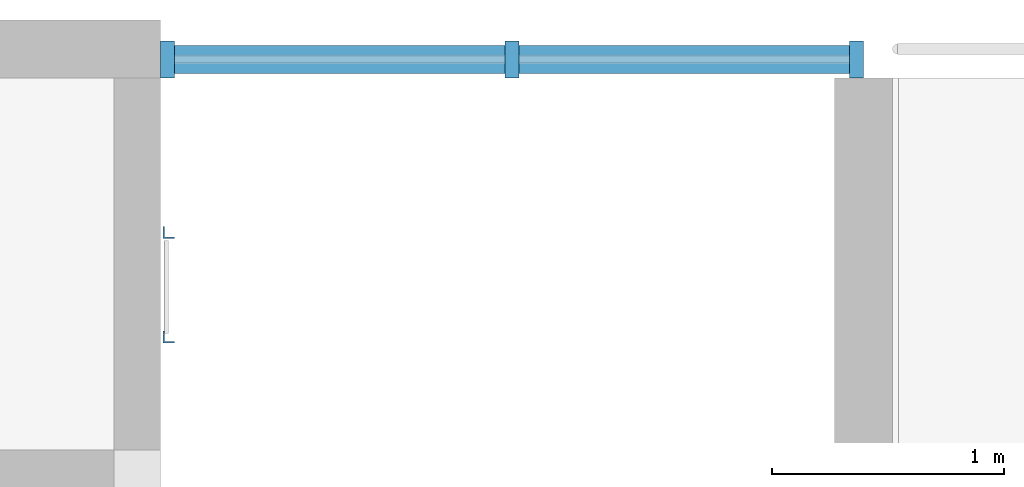
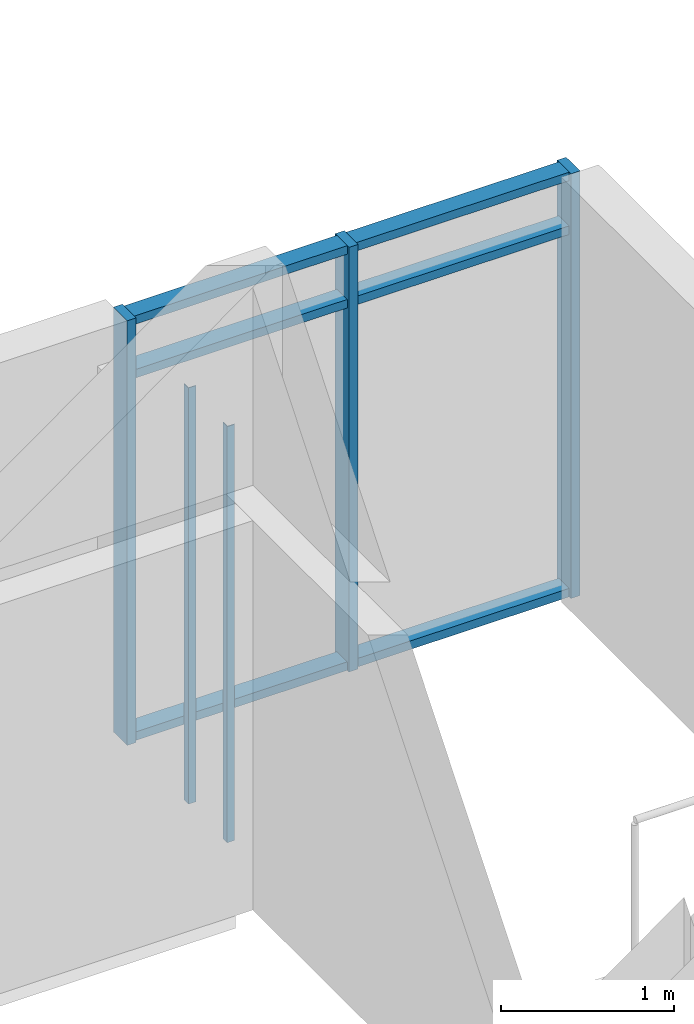
# One storey, part 2 of 15: 11 members, 1 element without a shape of its own.
"""IFC4 building model written with IfcOpenShell, lengths in metres."""

from ifc_helpers import new_model, si_unit, direction, frame, origin, origin_2d, place, context, subcontext, project, spatial, polyline, rectangle, outline, extrude, material, material_profile, profile_set, type_object, element, aggregate, save


model = new_model("IFC4")

# Units and contexts
model_context = context("Model", 3, precision=1e-05, world=origin(), true_north=direction((0.0, 1.0)))
body_context = subcontext(model_context, "Body", "Model", "MODEL_VIEW")
ifc_project = project(units=[si_unit("LENGTHUNIT", "METRE"), si_unit("AREAUNIT", "SQUARE_METRE"), si_unit("VOLUMEUNIT", "CUBIC_METRE"), si_unit("PLANEANGLEUNIT", "RADIAN"), si_unit("MASSUNIT", "GRAM", prefix="KILO")], contexts=[model_context])

# Site, building, storey
site_placement = place(None, origin())
site = spatial("IfcSite", under=ifc_project, at=site_placement, CompositionType="ELEMENT")
building_placement = place(site_placement, origin())
building = spatial("IfcBuilding", under=site, at=building_placement, Name="Ridgestep Commons", CompositionType="ELEMENT")
storey_placement = place(building_placement, frame((0.0, 0.0, 45.0)))
storey = spatial("IfcBuildingStorey", under=building, at=storey_placement, Name="L15", CompositionType="ELEMENT", Elevation=45.0)

# Members
ifc_material_1 = material(Name="Structural steel S355JR", Category="steel")
ifc_material_profile_1 = material_profile(ifc_material_1, outline(polyline([(-0.014404296875, -0.014404296875), (0.03564453125, -0.014404296875), (0.03564453125, -0.00927734375), (-0.00927734375, -0.00927734375), (-0.00927734375, 0.03564453125), (-0.014404296875, 0.03564453125), (-0.014404296875, -0.014404296875)])), Name="EA 50x50x5")
ifc_profile_set_1 = profile_set([ifc_material_profile_1], Name="Structural steel S355JR")
member_type_1 = type_object("IfcMemberType", Name="Core ladder stile EA 50x50x5", PredefinedType="STRINGER", material=ifc_profile_set_1)
for number, where, z_axis, x_axis, name in (
    (1, (48.60009765625, 21.625, 0.0), (0.0, 0.0, 1.0), (1.0, 0.0, 0.0), "Ladder stile A3C.1"),
    (2, (48.60009765625, 22.074951171875, 0.0), (0.0, 0.0, 1.0), (1.0, 0.0, 0.0), "Ladder stile A3C.2"),
):
    element("IfcMember", number, at=place(storey_placement, frame(where, z_axis=z_axis, x_axis=x_axis)), inside=storey, type_object=member_type_1, Name=name, PredefinedType="STRINGER", context=body_context, shape_type="SweptSolid", body=[
        extrude(outline(polyline([(-0.014404296875, -0.014404296875), (0.03564453125, -0.014404296875), (0.03564453125, -0.00927734375), (-0.00927734375, -0.00927734375), (-0.00927734375, 0.03564453125), (-0.014404296875, 0.03564453125), (-0.014404296875, -0.014404296875)])), origin(), (0.0, 0.0, 1.0), 2.93994140625),
    ])

# Curtain wall, members
ifc_material_2 = material(Name="Aluminium 6063-T6 and glass", Category="aluminium")
curtain_wall_type = type_object("IfcCurtainWallType", Name="Curtain wall stair strip", PredefinedType="NOTDEFINED", material=ifc_material_2)
curtain_wall_placement = place(storey_placement, origin())
curtain_wall = element("IfcCurtainWall", 3, at=curtain_wall_placement, inside=storey, type_object=curtain_wall_type, Name="Curtain wall A3C level 15", PredefinedType="NOTDEFINED")
ifc_material_3 = material(Name="Aluminium 6063-T6", Category="aluminium")
ifc_material_profile_2 = material_profile(ifc_material_3, rectangle(XDim=0.159912109375, YDim=0.06005859375, at=origin_2d()), Name="Mullion 60 x 160")
ifc_profile_set_2 = profile_set([ifc_material_profile_2], Name="Aluminium 6063-T6")
member_type_2 = type_object("IfcMemberType", Name="Mullion 60 x 160", PredefinedType="MULLION", material=ifc_profile_set_2)
member_1_placement = place(storey_placement, frame((48.60498046875, 22.830078125, 0.0), z_axis=(0.0, 0.0, 1.0), x_axis=(0.0, 1.0, 0.0)))
member_1 = element("IfcMember", 4, at=member_1_placement, type_object=member_type_2, Name="CW1 mullion 1", PredefinedType="MULLION", context=body_context, shape_type="SweptSolid", body=[
    extrude(rectangle(XDim=0.159912109375, YDim=0.06005859375, at=origin_2d()), origin(), (0.0, 0.0, 1.0), 3.0),
])
member_2_placement = place(storey_placement, frame((50.08740234375, 22.830078125, 0.0), z_axis=(0.0, 0.0, 1.0), x_axis=(0.0, 1.0, 0.0)))
member_2 = element("IfcMember", 5, at=member_2_placement, type_object=member_type_2, Name="CW1 mullion 2", PredefinedType="MULLION", context=body_context, shape_type="SweptSolid", body=[
    extrude(rectangle(XDim=0.159912109375, YDim=0.06005859375, at=origin_2d()), origin(), (0.0, 0.0, 1.0), 3.0),
])
member_3_placement = place(storey_placement, frame((51.570068359375, 22.830078125, 0.0), z_axis=(0.0, 0.0, 1.0), x_axis=(0.0, 1.0, 0.0)))
member_3 = element("IfcMember", 6, at=member_3_placement, type_object=member_type_2, Name="CW1 mullion 3", PredefinedType="MULLION", context=body_context, shape_type="SweptSolid", body=[
    extrude(rectangle(XDim=0.159912109375, YDim=0.06005859375, at=origin_2d()), origin(), (0.0, 0.0, 1.0), 3.0),
])
ifc_material_4 = material(Name="Aluminium 6063-T6", Category="aluminium")
ifc_material_profile_3 = material_profile(ifc_material_4, rectangle(XDim=0.1201171875, YDim=0.06005859375, at=origin_2d()), Name="Transom 60 x 120")
ifc_profile_set_3 = profile_set([ifc_material_profile_3], Name="Aluminium 6063-T6")
member_type_3 = type_object("IfcMemberType", Name="Transom 60 x 120", PredefinedType="USERDEFINED", material=ifc_profile_set_3)
member_4_placement = place(storey_placement, frame((48.635009765625, 22.830078125, 0.030029296875), z_axis=(1.0, 0.0, 0.0), x_axis=(0.0, 1.0, 0.0)))
member_4 = element("IfcMember", 7, at=member_4_placement, type_object=member_type_3, Name="CW1 transom 1.1", ObjectType="TRANSOM", PredefinedType="USERDEFINED", context=body_context, shape_type="SweptSolid", body=[
    extrude(rectangle(XDim=0.1201171875, YDim=0.06005859375, at=origin_2d()), origin(), (0.0, 0.0, 1.0), 1.422607421875),
])
member_5_placement = place(storey_placement, frame((48.635009765625, 22.830078125, 2.590087890625), z_axis=(1.0, 0.0, 0.0), x_axis=(0.0, 1.0, 0.0)))
member_5 = element("IfcMember", 8, at=member_5_placement, type_object=member_type_3, Name="CW1 transom 1.2", ObjectType="TRANSOM", PredefinedType="USERDEFINED", context=body_context, shape_type="SweptSolid", body=[
    extrude(rectangle(XDim=0.1201171875, YDim=0.06005859375, at=origin_2d()), origin(), (0.0, 0.0, 1.0), 1.422607421875),
])
member_6_placement = place(storey_placement, frame((48.635009765625, 22.830078125, 2.969970703125), z_axis=(1.0, 0.0, 0.0), x_axis=(0.0, 1.0, 0.0)))
member_6 = element("IfcMember", 9, at=member_6_placement, type_object=member_type_3, Name="CW1 transom 1.3", ObjectType="TRANSOM", PredefinedType="USERDEFINED", context=body_context, shape_type="SweptSolid", body=[
    extrude(rectangle(XDim=0.1201171875, YDim=0.06005859375, at=origin_2d()), origin(), (0.0, 0.0, 1.0), 1.422607421875),
])
member_7_placement = place(storey_placement, frame((50.117431640625, 22.830078125, 0.030029296875), z_axis=(1.0, 0.0, 0.0), x_axis=(0.0, 1.0, 0.0)))
member_7 = element("IfcMember", 10, at=member_7_placement, type_object=member_type_3, Name="CW1 transom 2.1", ObjectType="TRANSOM", PredefinedType="USERDEFINED", context=body_context, shape_type="SweptSolid", body=[
    extrude(rectangle(XDim=0.1201171875, YDim=0.06005859375, at=origin_2d()), origin(), (0.0, 0.0, 1.0), 1.422607421875),
])
member_8_placement = place(storey_placement, frame((50.117431640625, 22.830078125, 2.590087890625), z_axis=(1.0, 0.0, 0.0), x_axis=(0.0, 1.0, 0.0)))
member_8 = element("IfcMember", 11, at=member_8_placement, type_object=member_type_3, Name="CW1 transom 2.2", ObjectType="TRANSOM", PredefinedType="USERDEFINED", context=body_context, shape_type="SweptSolid", body=[
    extrude(rectangle(XDim=0.1201171875, YDim=0.06005859375, at=origin_2d()), origin(), (0.0, 0.0, 1.0), 1.422607421875),
])
member_9_placement = place(storey_placement, frame((50.117431640625, 22.830078125, 2.969970703125), z_axis=(1.0, 0.0, 0.0), x_axis=(0.0, 1.0, 0.0)))
member_9 = element("IfcMember", 12, at=member_9_placement, type_object=member_type_3, Name="CW1 transom 2.3", ObjectType="TRANSOM", PredefinedType="USERDEFINED", context=body_context, shape_type="SweptSolid", body=[
    extrude(rectangle(XDim=0.1201171875, YDim=0.06005859375, at=origin_2d()), origin(), (0.0, 0.0, 1.0), 1.422607421875),
])
aggregate(curtain_wall, [member_1, member_2, member_3, member_4, member_5, member_6, member_7, member_8, member_9])

save(model, "model.ifc")
